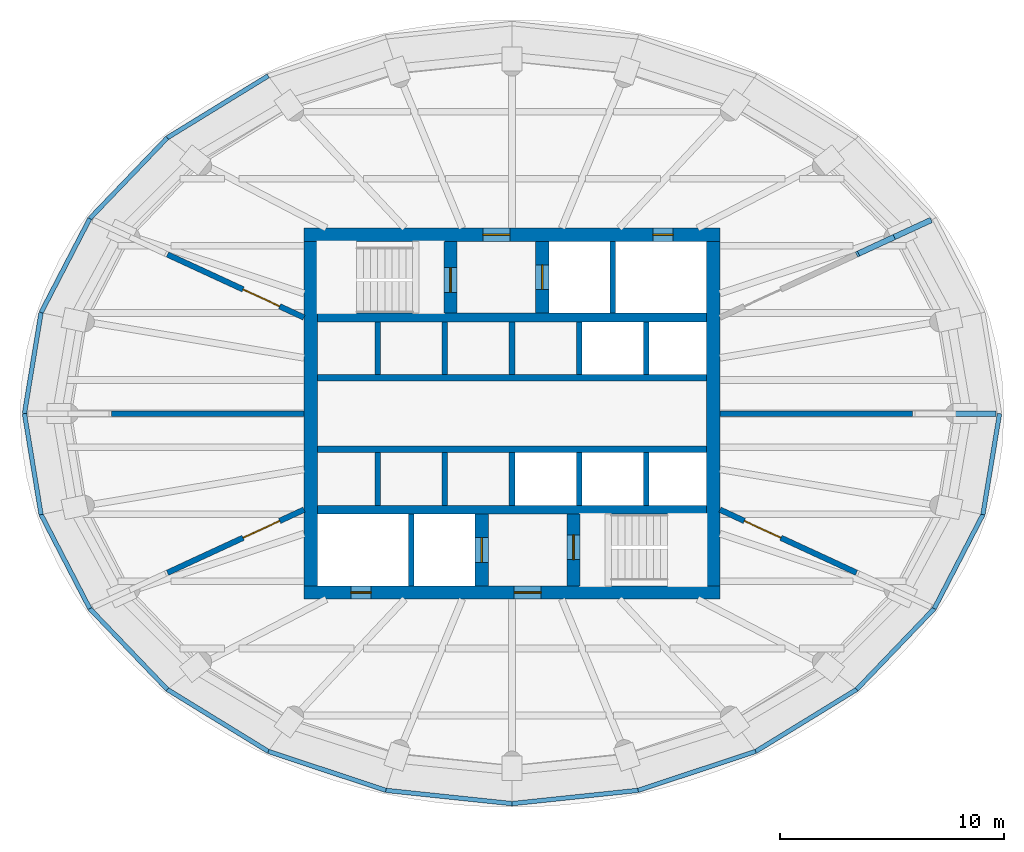
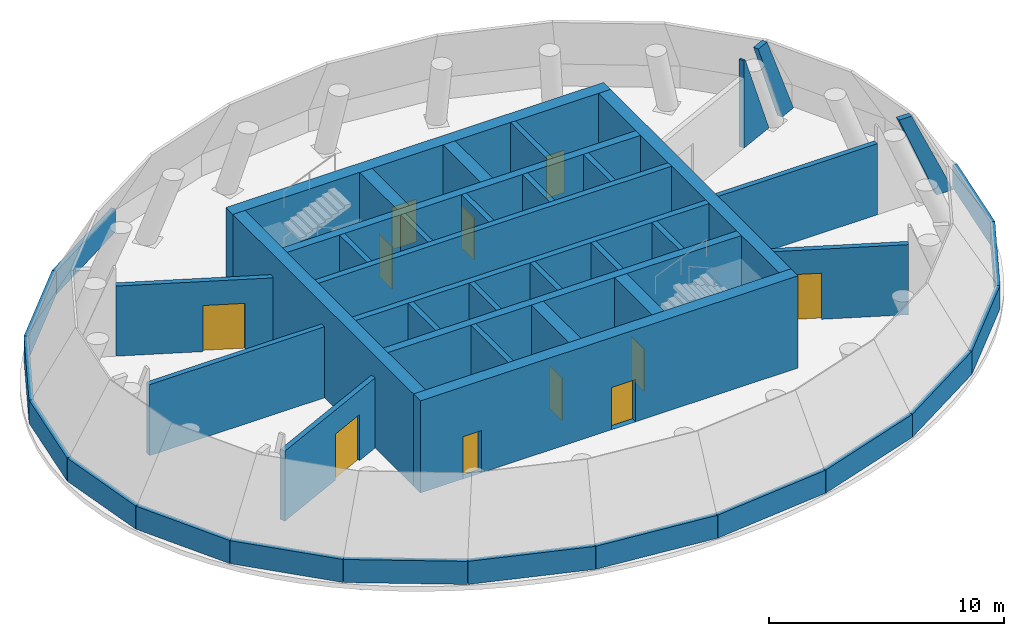
# One storey, part 4 of 6: 45 walls, 11 doors, 3 plates, 11 openings.
"""IFC4 building model written with IfcOpenShell, lengths in metres."""

from ifc_helpers import new_model, si_unit, direction, frame, frame_2d, origin, place, context, subcontext, project, spatial, polyline, rectangle, outline, extrude, material, layer, layer_set, type_object, element, fill, save


model = new_model("IFC4")

# Units and contexts
model_context = context("Model", 3, precision=1e-05, world=origin(), true_north=direction((0.0, 1.0)))
body_context = subcontext(model_context, "Body", "Model", "MODEL_VIEW")
ifc_project = project(units=[si_unit("LENGTHUNIT", "METRE"), si_unit("AREAUNIT", "SQUARE_METRE"), si_unit("VOLUMEUNIT", "CUBIC_METRE"), si_unit("PLANEANGLEUNIT", "RADIAN"), si_unit("MASSUNIT", "GRAM", prefix="KILO")], contexts=[model_context])

# Site, building, storey
site_placement = place(None, origin())
site = spatial("IfcSite", under=ifc_project, at=site_placement, CompositionType="ELEMENT")
building_placement = place(site_placement, origin())
building = spatial("IfcBuilding", under=site, at=building_placement, Name="Hankou Lantern Tower", CompositionType="ELEMENT")
storey_placement = place(building_placement, frame((0.0, 0.0, 232.5)))
storey = spatial("IfcBuildingStorey", under=building, at=storey_placement, Name="L63", CompositionType="ELEMENT", Elevation=232.5)

# Plates
ifc_material_1 = material(Name="Fire-rated calcium silicate board on steel studs", Category="steel")
ifc_layer_1 = layer(ifc_material_1, 0.25)
ifc_layer_set_1 = layer_set([ifc_layer_1], Name="Fire-rated calcium silicate board on steel studs")
plate_type = type_object("IfcPlateType", Name="FC1 FIRE CLOSURE PANEL", PredefinedType="USERDEFINED", material=ifc_layer_set_1)
plate_1_placement = place(storey_placement, frame((15.45751953125, 7.001708984375, 0.0), z_axis=(0.419405606369, -0.907798952028, 6.57478e-06), x_axis=(0.907798952048, 0.419405606378, -1.06e-10)))
element("IfcPlate", 1, at=plate_1_placement, inside=storey, type_object=plate_type, Name="Fire closure panel R03 inner L63", ObjectType="FIRE CLOSURE", PredefinedType="USERDEFINED", context=body_context, shape_type="SweptSolid", body=[
    extrude(outline(polyline([(0.0, 0.0), (1.8604915693968052, 0.0), (0.10005834289268663, 4.550048828233923), (-4.810241623492531e-10, 4.5500488280266564), (0.0, 0.0)])), origin(), (0.0, 0.0, -1.0), 0.25),
])
plate_2_placement = place(storey_placement, frame((18.022705078125, 8.1865234375, 0.0), z_axis=(0.419366667736, -0.90781693967, 4.5160292e-05), x_axis=(0.907816940596, 0.419366668164, 5.455e-09)))
element("IfcPlate", 2, at=plate_2_placement, inside=storey, type_object=plate_type, Name="Fire closure panel R03 outer L63", ObjectType="FIRE CLOSURE", PredefinedType="USERDEFINED", context=body_context, shape_type="SweptSolid", body=[
    extrude(outline(polyline([(0.0, 0.0), (0.8514848314088794, 0.0), (-1.1065584175762293, 4.550048838801492), (-1.7605524527025889, 4.550048847014439), (0.0, 0.0)])), origin(), (0.0, 0.0, -1.0), 0.25),
])
plate_3_placement = place(storey_placement, frame((20.835693359375, 0.125, 0.0), z_axis=(0.0, 1.0, 0.0), x_axis=(1.0, 0.0, 0.0)))
element("IfcPlate", 3, at=plate_3_placement, inside=storey, type_object=plate_type, Name="Fire closure panel R01 outer L63", ObjectType="FIRE CLOSURE", PredefinedType="USERDEFINED", context=body_context, shape_type="SweptSolid", body=[
    extrude(outline(polyline([(0.0, 0.0), (0.814208984375, 0.0), (-1.235595703125, -4.550048828125), (-1.848388671875, -4.550048828125), (0.0, 0.0)])), origin(), (0.0, 0.0, -1.0), 0.25),
])

# Wall, openings, doors
ifc_material_2 = material(Name="Concrete C60", Category="concrete")
ifc_layer_2 = layer(ifc_material_2, 0.60009765625)
ifc_layer_set_2 = layer_set([ifc_layer_2], Name="Concrete C60")
wall_type_1 = type_object("IfcWallType", Name="CW3 CORE WALL 600", PredefinedType="SHEAR", material=ifc_layer_set_2)
wall_1_placement = place(storey_placement, frame((-9.300048828125, 8.0, 0.0), z_axis=(0.0, 0.0, 1.0), x_axis=(1.0, 0.0, 0.0)))
wall_1 = element("IfcWall", 4, at=wall_1_placement, inside=storey, type_object=wall_type_1, Name="Core wall north L63", PredefinedType="SHEAR", context=body_context, shape_type="SweptSolid", body=[
    extrude(rectangle(XDim=18.60009765625, YDim=0.60009765625, at=frame_2d((9.300048828125, 0.0))), origin(), (0.0, 0.0, 1.0), 4.800048828125),
])
opening_1_placement = place(wall_1_placement, frame((8.0, 0.0, 0.0)))
opening_1 = element("IfcOpeningElement", 5, at=opening_1_placement, cuts=wall_1, Name="Opening D5", PredefinedType="OPENING", context=body_context, shape_type="SweptSolid", body=[
    extrude(rectangle(XDim=1.199951171875, YDim=2.199951171875, at=frame_2d((0.60009765625, 1.10009765625))), frame((0.0, 0.31005859375, 0.0), z_axis=(0.0, -1.0, 0.0), x_axis=(1.0, 0.0, 0.0)), (0.0, 0.0, 1.0), 0.6201171875),
])
opening_2_placement = place(wall_1_placement, frame((15.60009765625, 0.0, 0.0)))
opening_2 = element("IfcOpeningElement", 6, at=opening_2_placement, cuts=wall_1, Name="Opening D7", PredefinedType="OPENING", context=body_context, shape_type="SweptSolid", body=[
    extrude(rectangle(XDim=0.89990234375, YDim=2.199951171875, at=frame_2d((0.449951171875, 1.10009765625))), frame((0.0, 0.31005859375, 0.0), z_axis=(0.0, -1.0, 0.0), x_axis=(1.0, 0.0, 0.0)), (0.0, 0.0, 1.0), 0.6201171875),
])
ifc_material_3 = material(Name="Steel door leaf", Category="steel")
door_type_1 = type_object("IfcDoorType", Name="D5 STAIR LOBBY DOOR 1200X2200", OperationType="SINGLE_SWING_LEFT", PredefinedType="DOOR", material=ifc_material_3)
door_1_placement = place(opening_1_placement, origin())
door_1 = element("IfcDoor", 7, at=door_1_placement, inside=storey, type_object=door_type_1, Name="Stair A lobby door", OperationType="SINGLE_SWING_LEFT", OverallHeight=2.199951171875, OverallWidth=1.199951171875, PredefinedType="DOOR", context=body_context, shape_type="SweptSolid", body=[
    extrude(rectangle(XDim=1.199951171875, YDim=2.199951171875, at=frame_2d((0.60009765625, 1.10009765625))), frame((0.0, 0.02490234375, 0.0), z_axis=(0.0, -1.0, 0.0), x_axis=(1.0, 0.0, 0.0)), (0.0, 0.0, 1.0), 0.050048828125),
])
fill(opening_1, door_1)
ifc_material_4 = material(Name="Steel door leaf", Category="steel")
door_type_2 = type_object("IfcDoorType", Name="D7 RISER DOOR 900X2200", OperationType="SINGLE_SWING_LEFT", PredefinedType="DOOR", material=ifc_material_4)
door_2_placement = place(opening_2_placement, origin())
door_2 = element("IfcDoor", 8, at=door_2_placement, inside=storey, type_object=door_type_2, Name="Riser N1 door", OperationType="SINGLE_SWING_RIGHT", OverallHeight=2.199951171875, OverallWidth=0.89990234375, PredefinedType="DOOR", context=body_context, shape_type="SweptSolid", body=[
    extrude(rectangle(XDim=0.89990234375, YDim=2.199951171875, at=frame_2d((0.449951171875, 1.10009765625))), frame((0.0, 0.02490234375, 0.0), z_axis=(0.0, -1.0, 0.0), x_axis=(1.0, 0.0, 0.0)), (0.0, 0.0, 1.0), 0.050048828125),
])
fill(opening_2, door_2)

wall_2_placement = place(storey_placement, frame((9.300048828125, -8.0, 0.0), z_axis=(0.0, 0.0, 1.0), x_axis=(-1.0, 0.0, 0.0)))
wall_2 = element("IfcWall", 9, at=wall_2_placement, inside=storey, type_object=wall_type_1, Name="Core wall south L63", PredefinedType="SHEAR", context=body_context, shape_type="SweptSolid", body=[
    extrude(rectangle(XDim=18.60009765625, YDim=0.60009765625, at=frame_2d((9.300048828125, 0.0))), origin(), (0.0, 0.0, 1.0), 4.800048828125),
])
opening_3_placement = place(wall_2_placement, frame((8.0, 0.0, 0.0)))
opening_3 = element("IfcOpeningElement", 10, at=opening_3_placement, cuts=wall_2, Name="Opening D5", PredefinedType="OPENING", context=body_context, shape_type="SweptSolid", body=[
    extrude(rectangle(XDim=1.199951171875, YDim=2.199951171875, at=frame_2d((0.60009765625, 1.10009765625))), frame((0.0, 0.31005859375, 0.0), z_axis=(0.0, -1.0, 0.0), x_axis=(1.0, 0.0, 0.0)), (0.0, 0.0, 1.0), 0.6201171875),
])
opening_4_placement = place(wall_2_placement, frame((15.60009765625, 0.0, 0.0)))
opening_4 = element("IfcOpeningElement", 11, at=opening_4_placement, cuts=wall_2, Name="Opening D7", PredefinedType="OPENING", context=body_context, shape_type="SweptSolid", body=[
    extrude(rectangle(XDim=0.89990234375, YDim=2.199951171875, at=frame_2d((0.449951171875, 1.10009765625))), frame((0.0, 0.31005859375, 0.0), z_axis=(0.0, -1.0, 0.0), x_axis=(1.0, 0.0, 0.0)), (0.0, 0.0, 1.0), 0.6201171875),
])
door_3_placement = place(opening_3_placement, origin())
door_3 = element("IfcDoor", 12, at=door_3_placement, inside=storey, type_object=door_type_1, Name="Stair B lobby door", OperationType="SINGLE_SWING_LEFT", OverallHeight=2.199951171875, OverallWidth=1.199951171875, PredefinedType="DOOR", context=body_context, shape_type="SweptSolid", body=[
    extrude(rectangle(XDim=1.199951171875, YDim=2.199951171875, at=frame_2d((0.60009765625, 1.10009765625))), frame((0.0, 0.02490234375, 0.0), z_axis=(0.0, -1.0, 0.0), x_axis=(1.0, 0.0, 0.0)), (0.0, 0.0, 1.0), 0.050048828125),
])
fill(opening_3, door_3)
door_4_placement = place(opening_4_placement, origin())
door_4 = element("IfcDoor", 13, at=door_4_placement, inside=storey, type_object=door_type_2, Name="Riser S1 door", OperationType="SINGLE_SWING_RIGHT", OverallHeight=2.199951171875, OverallWidth=0.89990234375, PredefinedType="DOOR", context=body_context, shape_type="SweptSolid", body=[
    extrude(rectangle(XDim=0.89990234375, YDim=2.199951171875, at=frame_2d((0.449951171875, 1.10009765625))), frame((0.0, 0.02490234375, 0.0), z_axis=(0.0, -1.0, 0.0), x_axis=(1.0, 0.0, 0.0)), (0.0, 0.0, 1.0), 0.050048828125),
])
fill(opening_4, door_4)

# Walls
for number, where, z_axis, x_axis, name in (
    (14, (9.0, -7.699951171875, 0.0), (0.0, 0.0, 1.0), (0.0, 1.0, 0.0), "Core wall east L63"),
    (15, (-9.0, 7.699951171875, 0.0), (0.0, 0.0, 1.0), (0.0, -1.0, 0.0), "Core wall west L63"),
):
    element("IfcWall", number, at=place(storey_placement, frame(where, z_axis=z_axis, x_axis=x_axis)), inside=storey, type_object=wall_type_1, Name=name, PredefinedType="SHEAR", context=body_context, shape_type="SweptSolid", body=[
        extrude(rectangle(XDim=15.39990234375, YDim=0.60009765625, at=frame_2d((7.699951171875, 0.0))), origin(), (0.0, 0.0, 1.0), 4.800048828125),
    ])
ifc_material_5 = material(Name="Concrete C60", Category="concrete")
ifc_layer_3 = layer(ifc_material_5, 0.39990234375)
ifc_layer_set_3 = layer_set([ifc_layer_3], Name="Concrete C60")
wall_type_2 = type_object("IfcWallType", Name="CW4 CORE CROSS WALL 400", PredefinedType="SHEAR", material=ifc_layer_set_3)
for number, where, z_axis, x_axis, name in (
    (16, (-8.699951171875, 4.300048828125, 0.0), (0.0, 0.0, 1.0), (1.0, 0.0, 0.0), "Core band wall north L63"),
    (17, (-8.699951171875, -4.300048828125, 0.0), (0.0, 0.0, 1.0), (1.0, 0.0, 0.0), "Core band wall south L63"),
):
    element("IfcWall", number, at=place(storey_placement, frame(where, z_axis=z_axis, x_axis=x_axis)), inside=storey, type_object=wall_type_2, Name=name, PredefinedType="SHEAR", context=body_context, shape_type="SweptSolid", body=[
        extrude(rectangle(XDim=17.39990234375, YDim=0.39990234375, at=frame_2d((8.699951171875, 0.0))), origin(), (0.0, 0.0, 1.0), 4.800048828125),
    ])
ifc_material_6 = material(Name="Concrete C60", Category="concrete")
ifc_layer_4 = layer(ifc_material_6, 0.300048828125)
ifc_layer_set_4 = layer_set([ifc_layer_4], Name="Concrete C60")
wall_type_3 = type_object("IfcWallType", Name="CW5 LIFT LOBBY WALL 300", PredefinedType="SHEAR", material=ifc_layer_set_4)
for number, where, z_axis, x_axis, name in (
    (18, (-8.699951171875, 1.60009765625, 0.0), (0.0, 0.0, 1.0), (1.0, 0.0, 0.0), "Lift lobby wall north L63"),
    (19, (-8.699951171875, -1.60009765625, 0.0), (0.0, 0.0, 1.0), (1.0, 0.0, 0.0), "Lift lobby wall south L63"),
):
    element("IfcWall", number, at=place(storey_placement, frame(where, z_axis=z_axis, x_axis=x_axis)), inside=storey, type_object=wall_type_3, Name=name, PredefinedType="SHEAR", context=body_context, shape_type="SweptSolid", body=[
        extrude(rectangle(XDim=17.39990234375, YDim=0.300048828125, at=frame_2d((8.699951171875, 0.0))), origin(), (0.0, 0.0, 1.0), 4.800048828125),
    ])

# Wall, opening, door
ifc_material_7 = material(Name="Concrete C60", Category="concrete")
ifc_layer_5 = layer(ifc_material_7, 0.60009765625)
ifc_layer_set_5 = layer_set([ifc_layer_5], Name="Concrete C60")
wall_type_4 = type_object("IfcWallType", Name="CW6 STAIR AND SHAFT WALL 600", PredefinedType="SHEAR", material=ifc_layer_set_5)
wall_3_placement = place(storey_placement, frame((-2.75, 4.5, 0.0), z_axis=(0.0, 0.0, 1.0), x_axis=(0.0, 1.0, 0.0)))
wall_3 = element("IfcWall", 20, at=wall_3_placement, inside=storey, type_object=wall_type_4, Name="Stair wall L63", PredefinedType="SHEAR", context=body_context, shape_type="SweptSolid", body=[
    extrude(rectangle(XDim=3.199951171875, YDim=0.60009765625, at=frame_2d((1.60009765625, 0.0))), origin(), (0.0, 0.0, 1.0), 4.800048828125),
])
opening_5_placement = place(wall_3_placement, frame((0.925048828125, 0.0, 0.0)))
opening_5 = element("IfcOpeningElement", 21, at=opening_5_placement, cuts=wall_3, Name="Opening D4", PredefinedType="OPENING", context=body_context, shape_type="SweptSolid", body=[
    extrude(rectangle(XDim=1.10009765625, YDim=2.199951171875, at=frame_2d((0.550048828125, 1.10009765625))), frame((0.0, 0.31005859375, 0.0), z_axis=(0.0, -1.0, 0.0), x_axis=(1.0, 0.0, 0.0)), (0.0, 0.0, 1.0), 0.6201171875),
])
ifc_material_8 = material(Name="Steel door leaf", Category="steel")
door_type_3 = type_object("IfcDoorType", Name="D4 STAIR DOOR 1100X2200", OperationType="SINGLE_SWING_LEFT", PredefinedType="DOOR", material=ifc_material_8)
door_5_placement = place(opening_5_placement, origin())
door_5 = element("IfcDoor", 22, at=door_5_placement, inside=storey, type_object=door_type_3, Name="Stair A door", OperationType="SINGLE_SWING_LEFT", OverallHeight=2.199951171875, OverallWidth=1.10009765625, PredefinedType="DOOR", context=body_context, shape_type="SweptSolid", body=[
    extrude(rectangle(XDim=1.10009765625, YDim=2.199951171875, at=frame_2d((0.550048828125, 1.10009765625))), frame((0.0, 0.02490234375, 0.0), z_axis=(0.0, -1.0, 0.0), x_axis=(1.0, 0.0, 0.0)), (0.0, 0.0, 1.0), 0.050048828125),
])
fill(opening_5, door_5)

wall_4_placement = place(storey_placement, frame((1.35009765625, 4.5, 0.0), z_axis=(0.0, 0.0, 1.0), x_axis=(0.0, 1.0, 0.0)))
wall_4 = element("IfcWall", 23, at=wall_4_placement, inside=storey, type_object=wall_type_4, Name="Firefighting lift shaft wall L63", PredefinedType="SHEAR", context=body_context, shape_type="SweptSolid", body=[
    extrude(rectangle(XDim=3.199951171875, YDim=0.60009765625, at=frame_2d((1.60009765625, 0.0))), origin(), (0.0, 0.0, 1.0), 4.800048828125),
])
opening_6_placement = place(wall_4_placement, frame((1.050048828125, 0.0, 0.0)))
opening_6 = element("IfcOpeningElement", 24, at=opening_6_placement, cuts=wall_4, Name="Opening LD2", PredefinedType="OPENING", context=body_context, shape_type="SweptSolid", body=[
    extrude(rectangle(XDim=1.10009765625, YDim=2.199951171875, at=frame_2d((0.550048828125, 1.10009765625))), frame((0.0, 0.31005859375, 0.0), z_axis=(0.0, -1.0, 0.0), x_axis=(1.0, 0.0, 0.0)), (0.0, 0.0, 1.0), 0.6201171875),
])
ifc_material_9 = material(Name="Steel door leaf", Category="steel")
door_type_4 = type_object("IfcDoorType", Name="LD2 FIREFIGHTING LIFT LANDING DOOR 1100X2200", OperationType="DOUBLE_DOOR_SLIDING", PredefinedType="DOOR", material=ifc_material_9)
door_6_placement = place(opening_6_placement, origin())
door_6 = element("IfcDoor", 25, at=door_6_placement, inside=storey, type_object=door_type_4, Name="Firefighting lift FL1 landing door", OperationType="DOUBLE_DOOR_SLIDING", OverallHeight=2.199951171875, OverallWidth=1.10009765625, PredefinedType="DOOR", context=body_context, shape_type="SweptSolid", body=[
    extrude(rectangle(XDim=1.10009765625, YDim=2.199951171875, at=frame_2d((0.550048828125, 1.10009765625))), frame((0.0, 0.02490234375, 0.0), z_axis=(0.0, -1.0, 0.0), x_axis=(1.0, 0.0, 0.0)), (0.0, 0.0, 1.0), 0.050048828125),
])
fill(opening_6, door_6)

wall_5_placement = place(storey_placement, frame((2.75, -7.699951171875, 0.0), z_axis=(0.0, 0.0, 1.0), x_axis=(0.0, 1.0, 0.0)))
wall_5 = element("IfcWall", 26, at=wall_5_placement, inside=storey, type_object=wall_type_4, Name="Stair wall L63", PredefinedType="SHEAR", context=body_context, shape_type="SweptSolid", body=[
    extrude(rectangle(XDim=3.199951171875, YDim=0.60009765625, at=frame_2d((1.60009765625, 0.0))), origin(), (0.0, 0.0, 1.0), 4.800048828125),
])
opening_7_placement = place(wall_5_placement, frame((1.175048828125, 0.0, 0.0)))
opening_7 = element("IfcOpeningElement", 27, at=opening_7_placement, cuts=wall_5, Name="Opening D4", PredefinedType="OPENING", context=body_context, shape_type="SweptSolid", body=[
    extrude(rectangle(XDim=1.10009765625, YDim=2.199951171875, at=frame_2d((0.550048828125, 1.10009765625))), frame((0.0, 0.31005859375, 0.0), z_axis=(0.0, -1.0, 0.0), x_axis=(1.0, 0.0, 0.0)), (0.0, 0.0, 1.0), 0.6201171875),
])
door_7_placement = place(opening_7_placement, origin())
door_7 = element("IfcDoor", 28, at=door_7_placement, inside=storey, type_object=door_type_3, Name="Stair B door", OperationType="SINGLE_SWING_RIGHT", OverallHeight=2.199951171875, OverallWidth=1.10009765625, PredefinedType="DOOR", context=body_context, shape_type="SweptSolid", body=[
    extrude(rectangle(XDim=1.10009765625, YDim=2.199951171875, at=frame_2d((0.550048828125, 1.10009765625))), frame((0.0, 0.02490234375, 0.0), z_axis=(0.0, -1.0, 0.0), x_axis=(1.0, 0.0, 0.0)), (0.0, 0.0, 1.0), 0.050048828125),
])
fill(opening_7, door_7)

wall_6_placement = place(storey_placement, frame((-1.35009765625, -7.699951171875, 0.0), z_axis=(0.0, 0.0, 1.0), x_axis=(0.0, 1.0, 0.0)))
wall_6 = element("IfcWall", 29, at=wall_6_placement, inside=storey, type_object=wall_type_4, Name="Firefighting lift shaft wall L63", PredefinedType="SHEAR", context=body_context, shape_type="SweptSolid", body=[
    extrude(rectangle(XDim=3.199951171875, YDim=0.60009765625, at=frame_2d((1.60009765625, 0.0))), origin(), (0.0, 0.0, 1.0), 4.800048828125),
])
opening_8_placement = place(wall_6_placement, frame((1.050048828125, 0.0, 0.0)))
opening_8 = element("IfcOpeningElement", 30, at=opening_8_placement, cuts=wall_6, Name="Opening LD2", PredefinedType="OPENING", context=body_context, shape_type="SweptSolid", body=[
    extrude(rectangle(XDim=1.10009765625, YDim=2.199951171875, at=frame_2d((0.550048828125, 1.10009765625))), frame((0.0, 0.31005859375, 0.0), z_axis=(0.0, -1.0, 0.0), x_axis=(1.0, 0.0, 0.0)), (0.0, 0.0, 1.0), 0.6201171875),
])
door_8_placement = place(opening_8_placement, origin())
door_8 = element("IfcDoor", 31, at=door_8_placement, inside=storey, type_object=door_type_4, Name="Firefighting lift FL2 landing door", OperationType="DOUBLE_DOOR_SLIDING", OverallHeight=2.199951171875, OverallWidth=1.10009765625, PredefinedType="DOOR", context=body_context, shape_type="SweptSolid", body=[
    extrude(rectangle(XDim=1.10009765625, YDim=2.199951171875, at=frame_2d((0.550048828125, 1.10009765625))), frame((0.0, 0.02490234375, 0.0), z_axis=(0.0, -1.0, 0.0), x_axis=(1.0, 0.0, 0.0)), (0.0, 0.0, 1.0), 0.050048828125),
])
fill(opening_8, door_8)

# Walls
ifc_material_10 = material(Name="Precast concrete C40 spandrel", Category="concrete")
ifc_layer_6 = layer(ifc_material_10, 0.199951171875)
ifc_layer_set_6 = layer_set([ifc_layer_6], Name="Precast concrete C40 spandrel")
wall_type_5 = type_object("IfcWallType", Name="EW3 SPANDREL WALL 200", PredefinedType="PARAPET", material=ifc_layer_set_6)
wall_7_placement = place(storey_placement, frame((-10.89990234375, 15.103515625, 0.0), z_axis=(0.0, 0.0, 1.0), x_axis=(-0.8522526892, -0.523130341073, 0.0)))
element("IfcWall", 32, at=wall_7_placement, inside=storey, type_object=wall_type_5, Name="Spandrel wall R09 L63", PredefinedType="PARAPET", context=body_context, shape_type="SweptSolid", body=[
    extrude(rectangle(XDim=5.2978515625, YDim=0.199951171875, at=frame_2d((2.64892578125, 0.0))), origin(), (0.0, 0.0, 1.0), 1.199951171875),
])
wall_8_placement = place(storey_placement, frame((-15.4150390625, 12.33203125, 0.0), z_axis=(0.0, 0.0, 1.0), x_axis=(-0.692196666116, -0.721708927074, 0.0)))
element("IfcWall", 33, at=wall_8_placement, inside=storey, type_object=wall_type_5, Name="Spandrel wall R10 L63", PredefinedType="PARAPET", context=body_context, shape_type="SweptSolid", body=[
    extrude(rectangle(XDim=5.0048828125, YDim=0.199951171875, at=frame_2d((2.50244140625, 0.0))), origin(), (0.0, 0.0, 1.0), 1.199951171875),
])
wall_9_placement = place(storey_placement, frame((-18.87939453125, 8.719970703125, 0.0), z_axis=(0.0, 0.0, 1.0), x_axis=(-0.45978747157, -0.88802898657, 0.0)))
element("IfcWall", 34, at=wall_9_placement, inside=storey, type_object=wall_type_5, Name="Spandrel wall R11 L63", PredefinedType="PARAPET", context=body_context, shape_type="SweptSolid", body=[
    extrude(rectangle(XDim=4.736328125, YDim=0.199951171875, at=frame_2d((2.3681640625, 0.0))), origin(), (0.0, 0.0, 1.0), 1.199951171875),
])
for number, where, z_axis, x_axis, name in (
    (35, (-21.05712890625, 4.513916015625, 0.0), (0.0, 0.0, 1.0), (-0.162399504849, -0.986725088778, 0.0), "Spandrel wall R12 L63"),
    (36, (-21.800048828125, 0.0, 0.0), (0.0, 0.0, 1.0), (0.162399504849, -0.986725088778, 0.0), "Spandrel wall R13 L63"),
):
    element("IfcWall", number, at=place(storey_placement, frame(where, z_axis=z_axis, x_axis=x_axis)), inside=storey, type_object=wall_type_5, Name=name, PredefinedType="PARAPET", context=body_context, shape_type="SweptSolid", body=[
        extrude(rectangle(XDim=4.57470703125, YDim=0.199951171875, at=frame_2d((2.287353515625, 0.0))), origin(), (0.0, 0.0, 1.0), 1.199951171875),
    ])
wall_10_placement = place(storey_placement, frame((-21.05712890625, -4.513916015625, 0.0), z_axis=(0.0, 0.0, 1.0), x_axis=(0.45978747157, -0.88802898657, 0.0)))
element("IfcWall", 37, at=wall_10_placement, inside=storey, type_object=wall_type_5, Name="Spandrel wall R14 L63", PredefinedType="PARAPET", context=body_context, shape_type="SweptSolid", body=[
    extrude(rectangle(XDim=4.736328125, YDim=0.199951171875, at=frame_2d((2.3681640625, 0.0))), origin(), (0.0, 0.0, 1.0), 1.199951171875),
])
wall_11_placement = place(storey_placement, frame((-18.87939453125, -8.719970703125, 0.0), z_axis=(0.0, 0.0, 1.0), x_axis=(0.692196666116, -0.721708927074, 0.0)))
element("IfcWall", 38, at=wall_11_placement, inside=storey, type_object=wall_type_5, Name="Spandrel wall R15 L63", PredefinedType="PARAPET", context=body_context, shape_type="SweptSolid", body=[
    extrude(rectangle(XDim=5.0048828125, YDim=0.199951171875, at=frame_2d((2.50244140625, 0.0))), origin(), (0.0, 0.0, 1.0), 1.199951171875),
])
wall_12_placement = place(storey_placement, frame((-15.4150390625, -12.33203125, 0.0), z_axis=(0.0, 0.0, 1.0), x_axis=(0.8522526892, -0.523130341073, 0.0)))
element("IfcWall", 39, at=wall_12_placement, inside=storey, type_object=wall_type_5, Name="Spandrel wall R16 L63", PredefinedType="PARAPET", context=body_context, shape_type="SweptSolid", body=[
    extrude(rectangle(XDim=5.2978515625, YDim=0.199951171875, at=frame_2d((2.64892578125, 0.0))), origin(), (0.0, 0.0, 1.0), 1.199951171875),
])
wall_13_placement = place(storey_placement, frame((-10.89990234375, -15.103515625, 0.0), z_axis=(0.0, 0.0, 1.0), x_axis=(0.949241615064, -0.31454786, 0.0)))
element("IfcWall", 40, at=wall_13_placement, inside=storey, type_object=wall_type_5, Name="Spandrel wall R17 L63", PredefinedType="PARAPET", context=body_context, shape_type="SweptSolid", body=[
    extrude(rectangle(XDim=5.538818359375, YDim=0.199951171875, at=frame_2d((2.76953125, 0.0))), origin(), (0.0, 0.0, 1.0), 1.199951171875),
])
for number, where, z_axis, x_axis, name in (
    (41, (-5.642333984375, -16.845703125, 0.0), (0.0, 0.0, 1.0), (0.994499792538, -0.104738544201, 0.0), "Spandrel wall R18 L63"),
    (42, (0.0, -17.43994140625, 0.0), (0.0, 0.0, 1.0), (0.994499792538, 0.104738544201, 0.0), "Spandrel wall R19 L63"),
):
    element("IfcWall", number, at=place(storey_placement, frame(where, z_axis=z_axis, x_axis=x_axis)), inside=storey, type_object=wall_type_5, Name=name, PredefinedType="PARAPET", context=body_context, shape_type="SweptSolid", body=[
        extrude(rectangle(XDim=5.673583984375, YDim=0.199951171875, at=frame_2d((2.8369140625, 0.0))), origin(), (0.0, 0.0, 1.0), 1.199951171875),
    ])
wall_14_placement = place(storey_placement, frame((5.642333984375, -16.845703125, 0.0), z_axis=(0.0, 0.0, 1.0), x_axis=(0.949241615064, 0.31454786, 0.0)))
element("IfcWall", 43, at=wall_14_placement, inside=storey, type_object=wall_type_5, Name="Spandrel wall R20 L63", PredefinedType="PARAPET", context=body_context, shape_type="SweptSolid", body=[
    extrude(rectangle(XDim=5.538818359375, YDim=0.199951171875, at=frame_2d((2.76953125, 0.0))), origin(), (0.0, 0.0, 1.0), 1.199951171875),
])
wall_15_placement = place(storey_placement, frame((10.89990234375, -15.103515625, 0.0), z_axis=(0.0, 0.0, 1.0), x_axis=(0.8522526892, 0.523130341073, 0.0)))
element("IfcWall", 44, at=wall_15_placement, inside=storey, type_object=wall_type_5, Name="Spandrel wall R21 L63", PredefinedType="PARAPET", context=body_context, shape_type="SweptSolid", body=[
    extrude(rectangle(XDim=5.2978515625, YDim=0.199951171875, at=frame_2d((2.64892578125, 0.0))), origin(), (0.0, 0.0, 1.0), 1.199951171875),
])
wall_16_placement = place(storey_placement, frame((15.4150390625, -12.33203125, 0.0), z_axis=(0.0, 0.0, 1.0), x_axis=(0.692196666116, 0.721708927074, 0.0)))
element("IfcWall", 45, at=wall_16_placement, inside=storey, type_object=wall_type_5, Name="Spandrel wall R22 L63", PredefinedType="PARAPET", context=body_context, shape_type="SweptSolid", body=[
    extrude(rectangle(XDim=5.0048828125, YDim=0.199951171875, at=frame_2d((2.50244140625, 0.0))), origin(), (0.0, 0.0, 1.0), 1.199951171875),
])
wall_17_placement = place(storey_placement, frame((18.87939453125, -8.719970703125, 0.0), z_axis=(0.0, 0.0, 1.0), x_axis=(0.45978747157, 0.88802898657, 0.0)))
element("IfcWall", 46, at=wall_17_placement, inside=storey, type_object=wall_type_5, Name="Spandrel wall R23 L63", PredefinedType="PARAPET", context=body_context, shape_type="SweptSolid", body=[
    extrude(rectangle(XDim=4.736328125, YDim=0.199951171875, at=frame_2d((2.3681640625, 0.0))), origin(), (0.0, 0.0, 1.0), 1.199951171875),
])
wall_18_placement = place(storey_placement, frame((21.05712890625, -4.513916015625, 0.0), z_axis=(0.0, 0.0, 1.0), x_axis=(0.162399504849, 0.986725088778, 0.0)))
element("IfcWall", 47, at=wall_18_placement, inside=storey, type_object=wall_type_5, Name="Spandrel wall R24 L63", PredefinedType="PARAPET", context=body_context, shape_type="SweptSolid", body=[
    extrude(rectangle(XDim=4.57470703125, YDim=0.199951171875, at=frame_2d((2.287353515625, 0.0))), origin(), (0.0, 0.0, 1.0), 1.199951171875),
])

# Wall, opening, door
ifc_material_11 = material(Name="Masonry dense concrete block", Category="masonry")
ifc_layer_7 = layer(ifc_material_11, 0.25)
ifc_layer_set_7 = layer_set([ifc_layer_7], Name="Masonry dense concrete block")
wall_type_6 = type_object("IfcWallType", Name="IW5 PLANT ROOM FIRE WALL 250", PredefinedType="PARTITIONING", material=ifc_layer_set_7)
wall_19_placement = place(storey_placement, frame((-9.300048828125, 4.29541015625, 0.0), z_axis=(0.0, 0.0, 1.0), x_axis=(-0.907838212452, 0.419320617204, 0.0)))
wall_19 = element("IfcWall", 48, at=wall_19_placement, inside=storey, type_object=wall_type_6, Name="Plant room fire wall R11", PredefinedType="PARTITIONING", context=body_context, shape_type="SweptSolid", body=[
    extrude(rectangle(XDim=6.724853515625, YDim=0.25, at=frame_2d((3.3623046875, 0.0))), origin(), (0.0, 0.0, 1.0), 3.64990234375),
])
opening_9_placement = place(wall_19_placement, frame((1.199951171875, 0.0, 0.0)))
opening_9 = element("IfcOpeningElement", 49, at=opening_9_placement, cuts=wall_19, Name="Opening D9", PredefinedType="OPENING", context=body_context, shape_type="SweptSolid", body=[
    extrude(rectangle(XDim=1.800048828125, YDim=2.39990234375, at=frame_2d((0.89990234375, 1.199951171875))), frame((0.0, 0.135009765625, 0.0), z_axis=(0.0, -1.0, 0.0), x_axis=(1.0, 0.0, 0.0)), (0.0, 0.0, 1.0), 0.27001953125),
])
ifc_material_12 = material(Name="Steel door leaf", Category="steel")
door_type_5 = type_object("IfcDoorType", Name="D9 PLANT ROOM DOOR 1800X2400", OperationType="DOUBLE_DOOR_DOUBLE_SWING", PredefinedType="DOOR", material=ifc_material_12)
door_9_placement = place(opening_9_placement, origin())
door_9 = element("IfcDoor", 50, at=door_9_placement, inside=storey, type_object=door_type_5, Name="Plant room door R11", OperationType="DOUBLE_DOOR_DOUBLE_SWING", OverallHeight=2.39990234375, OverallWidth=1.800048828125, PredefinedType="DOOR", context=body_context, shape_type="SweptSolid", body=[
    extrude(rectangle(XDim=1.800048828125, YDim=2.39990234375, at=frame_2d((0.89990234375, 1.199951171875))), frame((0.0, 0.02490234375, 0.0), z_axis=(0.0, -1.0, 0.0), x_axis=(1.0, 0.0, 0.0)), (0.0, 0.0, 1.0), 0.050048828125),
])
fill(opening_9, door_9)

wall_20_placement = place(storey_placement, frame((-9.300048828125, -4.29541015625, 0.0), z_axis=(0.0, 0.0, 1.0), x_axis=(-0.907838212452, -0.419320617204, 0.0)))
wall_20 = element("IfcWall", 51, at=wall_20_placement, inside=storey, type_object=wall_type_6, Name="Plant room fire wall R15", PredefinedType="PARTITIONING", context=body_context, shape_type="SweptSolid", body=[
    extrude(rectangle(XDim=6.724853515625, YDim=0.25, at=frame_2d((3.3623046875, 0.0))), origin(), (0.0, 0.0, 1.0), 3.64990234375),
])
opening_10_placement = place(wall_20_placement, frame((1.199951171875, 0.0, 0.0)))
opening_10 = element("IfcOpeningElement", 52, at=opening_10_placement, cuts=wall_20, Name="Opening D9", PredefinedType="OPENING", context=body_context, shape_type="SweptSolid", body=[
    extrude(rectangle(XDim=1.800048828125, YDim=2.39990234375, at=frame_2d((0.89990234375, 1.199951171875))), frame((0.0, 0.135009765625, 0.0), z_axis=(0.0, -1.0, 0.0), x_axis=(1.0, 0.0, 0.0)), (0.0, 0.0, 1.0), 0.27001953125),
])
door_10_placement = place(opening_10_placement, origin())
door_10 = element("IfcDoor", 53, at=door_10_placement, inside=storey, type_object=door_type_5, Name="Plant room door R15", OperationType="DOUBLE_DOOR_DOUBLE_SWING", OverallHeight=2.39990234375, OverallWidth=1.800048828125, PredefinedType="DOOR", context=body_context, shape_type="SweptSolid", body=[
    extrude(rectangle(XDim=1.800048828125, YDim=2.39990234375, at=frame_2d((0.89990234375, 1.199951171875))), frame((0.0, 0.02490234375, 0.0), z_axis=(0.0, -1.0, 0.0), x_axis=(1.0, 0.0, 0.0)), (0.0, 0.0, 1.0), 0.050048828125),
])
fill(opening_10, door_10)

wall_21_placement = place(storey_placement, frame((9.300048828125, -4.29541015625, 0.0), z_axis=(0.0, 0.0, 1.0), x_axis=(0.907838212452, -0.419320617204, 0.0)))
wall_21 = element("IfcWall", 54, at=wall_21_placement, inside=storey, type_object=wall_type_6, Name="Plant room fire wall R23", PredefinedType="PARTITIONING", context=body_context, shape_type="SweptSolid", body=[
    extrude(rectangle(XDim=6.724853515625, YDim=0.25, at=frame_2d((3.3623046875, 0.0))), origin(), (0.0, 0.0, 1.0), 3.64990234375),
])
opening_11_placement = place(wall_21_placement, frame((1.199951171875, 0.0, 0.0)))
opening_11 = element("IfcOpeningElement", 55, at=opening_11_placement, cuts=wall_21, Name="Opening D9", PredefinedType="OPENING", context=body_context, shape_type="SweptSolid", body=[
    extrude(rectangle(XDim=1.800048828125, YDim=2.39990234375, at=frame_2d((0.89990234375, 1.199951171875))), frame((0.0, 0.135009765625, 0.0), z_axis=(0.0, -1.0, 0.0), x_axis=(1.0, 0.0, 0.0)), (0.0, 0.0, 1.0), 0.27001953125),
])
door_11_placement = place(opening_11_placement, origin())
door_11 = element("IfcDoor", 56, at=door_11_placement, inside=storey, type_object=door_type_5, Name="Plant room door R23", OperationType="DOUBLE_DOOR_DOUBLE_SWING", OverallHeight=2.39990234375, OverallWidth=1.800048828125, PredefinedType="DOOR", context=body_context, shape_type="SweptSolid", body=[
    extrude(rectangle(XDim=1.800048828125, YDim=2.39990234375, at=frame_2d((0.89990234375, 1.199951171875))), frame((0.0, 0.02490234375, 0.0), z_axis=(0.0, -1.0, 0.0), x_axis=(1.0, 0.0, 0.0)), (0.0, 0.0, 1.0), 0.050048828125),
])
fill(opening_11, door_11)

# Walls
for number, where, z_axis, x_axis, name in (
    (57, (9.300048828125, 0.0, 0.0), (0.0, 0.0, 1.0), (1.0, 0.0, 0.0), "Plant room partition R01"),
    (58, (-9.300048828125, 0.0, 0.0), (0.0, 0.0, 1.0), (-1.0, 0.0, 0.0), "Plant room partition R13"),
):
    element("IfcWall", number, at=place(storey_placement, frame(where, z_axis=z_axis, x_axis=x_axis)), inside=storey, type_object=wall_type_6, Name=name, PredefinedType="PARTITIONING", context=body_context, shape_type="SweptSolid", body=[
        extrude(rectangle(XDim=8.61572265625, YDim=0.25, at=frame_2d((4.307861328125, 0.0))), origin(), (0.0, 0.0, 1.0), 3.699951171875),
    ])
ifc_material_13 = material(Name="Masonry autoclaved aerated concrete block", Category="masonry")
ifc_layer_8 = layer(ifc_material_13, 0.25)
ifc_layer_set_8 = layer_set([ifc_layer_8], Name="Masonry autoclaved aerated concrete block")
wall_type_7 = type_object("IfcWallType", Name="SW1 SHAFT BLOCK WALL 250", PredefinedType="PARTITIONING", material=ifc_layer_set_8)
for number, where, z_axis, x_axis, name in (
    (59, (4.5, 4.5, 0.0), (0.0, 0.0, 1.0), (0.0, 1.0, 0.0), "Riser wall L63"),
    (60, (-4.5, -7.699951171875, 0.0), (0.0, 0.0, 1.0), (0.0, 1.0, 0.0), "Riser wall L63"),
):
    element("IfcWall", number, at=place(storey_placement, frame(where, z_axis=z_axis, x_axis=x_axis)), inside=storey, type_object=wall_type_7, Name=name, PredefinedType="PARTITIONING", context=body_context, shape_type="SweptSolid", body=[
        extrude(rectangle(XDim=3.199951171875, YDim=0.25, at=frame_2d((1.60009765625, 0.0))), origin(), (0.0, 0.0, 1.0), 4.800048828125),
    ])
for number, where, z_axis, x_axis, name in (
    (61, (-6.0, 1.75, 0.0), (0.0, 0.0, 1.0), (0.0, 1.0, 0.0), "Lift shaft wall L63"),
    (62, (-3.0, 1.75, 0.0), (0.0, 0.0, 1.0), (0.0, 1.0, 0.0), "Lift shaft wall L63"),
    (63, (0.0, 1.75, 0.0), (0.0, 0.0, 1.0), (0.0, 1.0, 0.0), "Lift shaft wall L63"),
    (64, (3.0, 1.75, 0.0), (0.0, 0.0, 1.0), (0.0, 1.0, 0.0), "Lift shaft wall L63"),
    (65, (6.0, 1.75, 0.0), (0.0, 0.0, 1.0), (0.0, 1.0, 0.0), "Lift shaft wall L63"),
    (66, (-6.0, -4.10009765625, 0.0), (0.0, 0.0, 1.0), (0.0, 1.0, 0.0), "Lift shaft wall L63"),
    (67, (-3.0, -4.10009765625, 0.0), (0.0, 0.0, 1.0), (0.0, 1.0, 0.0), "Lift shaft wall L63"),
    (68, (0.0, -4.10009765625, 0.0), (0.0, 0.0, 1.0), (0.0, 1.0, 0.0), "Lift shaft wall L63"),
    (69, (3.0, -4.10009765625, 0.0), (0.0, 0.0, 1.0), (0.0, 1.0, 0.0), "Lift shaft wall L63"),
    (70, (6.0, -4.10009765625, 0.0), (0.0, 0.0, 1.0), (0.0, 1.0, 0.0), "Lift shaft wall L63"),
):
    element("IfcWall", number, at=place(storey_placement, frame(where, z_axis=z_axis, x_axis=x_axis)), inside=storey, type_object=wall_type_7, Name=name, PredefinedType="PARTITIONING", context=body_context, shape_type="SweptSolid", body=[
        extrude(rectangle(XDim=2.35009765625, YDim=0.25, at=frame_2d((1.175048828125, 0.0))), origin(), (0.0, 0.0, 1.0), 4.800048828125),
    ])

save(model, "model.ifc")
